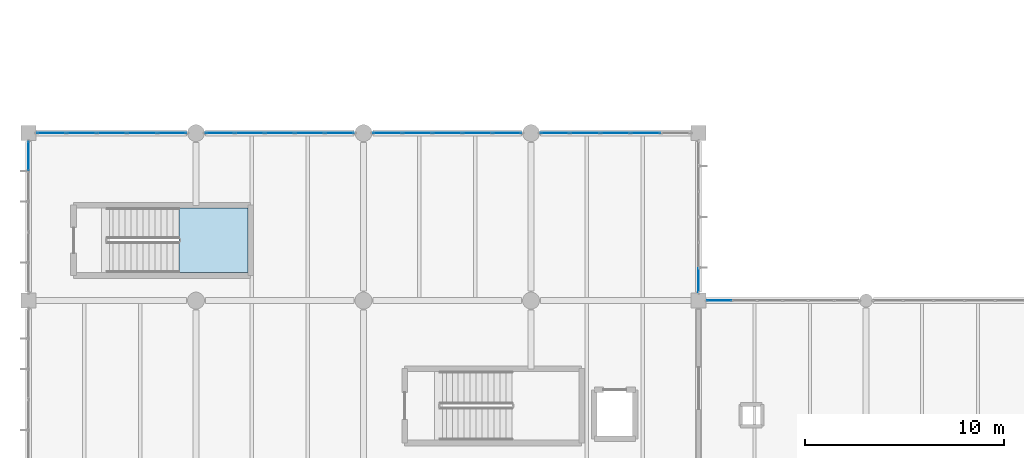
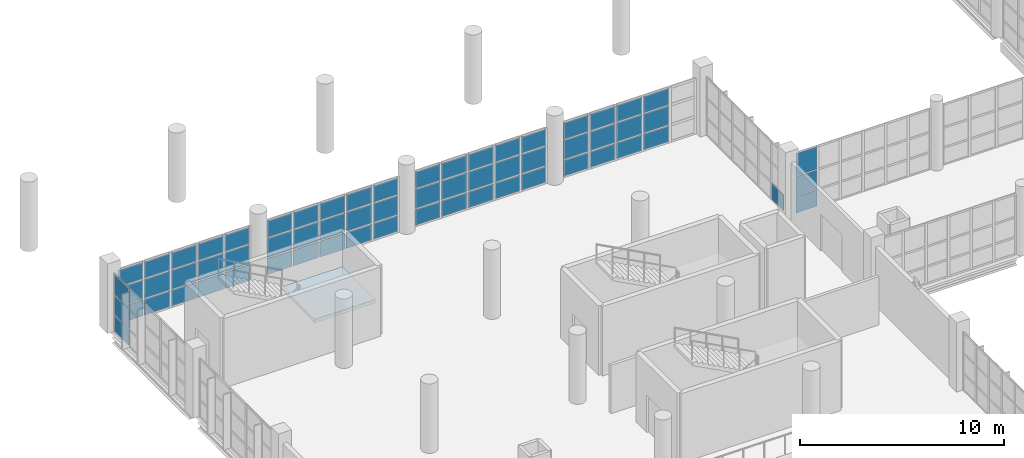
# One storey, part 130 of 177: 64 plates, 1 slab, 8 elements without a shape of their own.
"""IFC4 building model written with IfcOpenShell, lengths in metres."""

from ifc_helpers import new_model, si_unit, direction, frame, origin, origin_2d, place, context, subcontext, project, spatial, polyline, rectangle, outline, extrude, material, layer, layer_set, type_object, element, aggregate, save


model = new_model("IFC4")

# Units and contexts
model_context = context("Model", 3, precision=1e-05, world=origin(), true_north=direction((0.0, 1.0)))
body_context = subcontext(model_context, "Body", "Model", "MODEL_VIEW")
ifc_project = project(units=[si_unit("LENGTHUNIT", "METRE"), si_unit("AREAUNIT", "SQUARE_METRE"), si_unit("VOLUMEUNIT", "CUBIC_METRE"), si_unit("PLANEANGLEUNIT", "RADIAN"), si_unit("MASSUNIT", "GRAM", prefix="KILO"), si_unit("THERMODYNAMICTEMPERATUREUNIT", "KELVIN"), si_unit("POWERUNIT", "WATT")], contexts=[model_context])

# Site, building, storey
site_placement = place(None, origin())
site = spatial("IfcSite", under=ifc_project, at=site_placement, CompositionType="ELEMENT")
building_placement = place(site_placement, origin())
building = spatial("IfcBuilding", under=site, at=building_placement, Name="Mavoryth Pier Ferry Terminal", CompositionType="ELEMENT")
storey_placement = place(building_placement, frame((0.0, 0.0, 5.43994140625)))
storey = spatial("IfcBuildingStorey", under=building, at=storey_placement, Name="L01", CompositionType="ELEMENT", Elevation=5.43994140625)

# Curtain wall, plates
ifc_material_1 = material(Name="Anodised Aluminium and Solar-Control Low-E Glass", Category="aluminium")
ifc_layer_1 = layer(ifc_material_1, 0.179931640625, Name="Anodised Aluminium and Solar-Control Low-E Glass", Category="aluminium")
ifc_layer_set_1 = layer_set([ifc_layer_1], Name="Anodised Aluminium and Solar-Control Low-E Glass - CW-Concourse-Mod1400")
curtain_wall_type_1 = type_object("IfcCurtainWallType", Name="CW-Concourse-Mod1400", PredefinedType="USERDEFINED", material=ifc_layer_set_1)
curtain_wall_1_placement = place(storey_placement, origin())
curtain_wall_1 = element("IfcCurtainWall", 1, at=curtain_wall_1_placement, inside=storey, type_object=curtain_wall_type_1, Name="Curtain Wall CW-0122-032", ObjectType="UNITISED CURTAIN WALL", PredefinedType="USERDEFINED")
ifc_material_2 = material(Name="Solar-Control Low-E Laminated Double Glazing", Category="glass")
ifc_layer_2 = layer(ifc_material_2, 0.02392578125, Name="Solar-Control Low-E Laminated Double Glazing", Category="glass")
ifc_layer_set_2 = layer_set([ifc_layer_2], Name="Solar-Control Low-E Laminated Double Glazing - Panel-LowE-DGU-24")
plate_type_1 = type_object("IfcPlateType", Name="Panel-LowE-DGU-24", PredefinedType="CURTAIN_PANEL", material=ifc_layer_set_2)
plate_1_placement = place(storey_placement, frame((0.0, 104.844970703125, 0.06005859375), z_axis=(0.0, 0.0, 1.0), x_axis=(0.0, -1.0, 0.0)))
plate_1 = element("IfcPlate", 2, at=plate_1_placement, type_object=plate_type_1, Name="CW01 panel 1.1", PredefinedType="CURTAIN_PANEL", context=body_context, shape_type="SweptSolid", body=[
    extrude(rectangle(XDim=1.43994140625, YDim=0.02392578125, at=origin_2d()), origin(), (0.0, 0.0, 1.0), 0.9599609375),
])
plate_2_placement = place(storey_placement, frame((0.0, 104.844970703125, 1.080078125), z_axis=(0.0, 0.0, 1.0), x_axis=(0.0, -1.0, 0.0)))
plate_2 = element("IfcPlate", 3, at=plate_2_placement, type_object=plate_type_1, Name="CW01 panel 1.2", PredefinedType="CURTAIN_PANEL", context=body_context, shape_type="SweptSolid", body=[
    extrude(rectangle(XDim=1.43994140625, YDim=0.02392578125, at=origin_2d()), origin(), (0.0, 0.0, 1.0), 1.139892578125),
])
plate_3_placement = place(storey_placement, frame((0.0, 104.844970703125, 2.2802734375), z_axis=(0.0, 0.0, 1.0), x_axis=(0.0, -1.0, 0.0)))
plate_3 = element("IfcPlate", 4, at=plate_3_placement, type_object=plate_type_1, Name="CW01 panel 1.3", PredefinedType="CURTAIN_PANEL", context=body_context, shape_type="SweptSolid", body=[
    extrude(rectangle(XDim=1.43994140625, YDim=0.02392578125, at=origin_2d()), origin(), (0.0, 0.0, 1.0), 1.175048828125),
])
aggregate(curtain_wall_1, [plate_1, plate_2, plate_3])

# Curtain wall, plate
ifc_layer_3 = layer(ifc_material_1, 0.199951171875, Name="Anodised Aluminium and Solar-Control Low-E Glass", Category="aluminium")
ifc_layer_set_3 = layer_set([ifc_layer_3], Name="Anodised Aluminium and Solar-Control Low-E Glass - CW-Concourse-Mod1200")
curtain_wall_type_2 = type_object("IfcCurtainWallType", Name="CW-Concourse-Mod1200", PredefinedType="USERDEFINED", material=ifc_layer_set_3)
curtain_wall_2_placement = place(storey_placement, origin())
curtain_wall_2 = element("IfcCurtainWall", 5, at=curtain_wall_2_placement, inside=storey, type_object=curtain_wall_type_2, Name="Curtain Wall CW-0111-033", ObjectType="UNITISED CURTAIN WALL", PredefinedType="USERDEFINED")
plate_4_placement = place(storey_placement, frame((33.60009765625, 98.626220703125, 0.05517578125), z_axis=(0.0, 0.0, 1.0), x_axis=(0.0, 1.0, 0.0)))
plate_4 = element("IfcPlate", 6, at=plate_4_placement, type_object=plate_type_1, Name="CW02 panel 1.1", PredefinedType="CURTAIN_PANEL", context=body_context, shape_type="SweptSolid", body=[
    extrude(rectangle(XDim=1.1923828125, YDim=0.02392578125, at=origin_2d()), origin(), (0.0, 0.0, 1.0), 0.967529296875),
])
aggregate(curtain_wall_2, [plate_4])

# Curtain wall, plates
ifc_layer_4 = layer(ifc_material_1, 0.1201171875, Name="Anodised Aluminium and Solar-Control Low-E Glass", Category="aluminium")
ifc_layer_set_4 = layer_set([ifc_layer_4], Name="Anodised Aluminium and Solar-Control Low-E Glass - CW-BridgeLink-Mod1400")
curtain_wall_type_3 = type_object("IfcCurtainWallType", Name="CW-BridgeLink-Mod1400", PredefinedType="USERDEFINED", material=ifc_layer_set_4)
curtain_wall_3_placement = place(storey_placement, origin())
curtain_wall_3 = element("IfcCurtainWall", 7, at=curtain_wall_3_placement, inside=storey, type_object=curtain_wall_type_3, Name="Curtain Wall CW-0111-099", ObjectType="UNITISED CURTAIN WALL", PredefinedType="USERDEFINED")
plate_5_placement = place(storey_placement, frame((34.63037109375, 97.60009765625, 0.05517578125), z_axis=(0.0, 0.0, 1.0), x_axis=(1.0, 0.0, 0.0)))
plate_5 = element("IfcPlate", 8, at=plate_5_placement, type_object=plate_type_1, Name="CW08 panel 1.1", PredefinedType="CURTAIN_PANEL", context=body_context, shape_type="SweptSolid", body=[
    extrude(rectangle(XDim=1.200927734375, YDim=0.02392578125, at=origin_2d()), origin(), (0.0, 0.0, 1.0), 0.967529296875),
])
plate_6_placement = place(storey_placement, frame((34.63037109375, 97.60009765625, 1.07763671875), z_axis=(0.0, 0.0, 1.0), x_axis=(1.0, 0.0, 0.0)))
plate_6 = element("IfcPlate", 9, at=plate_6_placement, type_object=plate_type_1, Name="CW08 panel 1.2", PredefinedType="CURTAIN_PANEL", context=body_context, shape_type="SweptSolid", body=[
    extrude(rectangle(XDim=1.200927734375, YDim=0.02392578125, at=origin_2d()), origin(), (0.0, 0.0, 1.0), 1.14501953125),
])
plate_7_placement = place(storey_placement, frame((34.63037109375, 97.60009765625, 2.277587890625), z_axis=(0.0, 0.0, 1.0), x_axis=(1.0, 0.0, 0.0)))
plate_7 = element("IfcPlate", 10, at=plate_7_placement, type_object=plate_type_1, Name="CW08 panel 1.3", PredefinedType="CURTAIN_PANEL", context=body_context, shape_type="SweptSolid", body=[
    extrude(rectangle(XDim=1.200927734375, YDim=0.02392578125, at=origin_2d()), origin(), (0.0, 0.0, 1.0), 1.33251953125),
])
aggregate(curtain_wall_3, [plate_5, plate_6, plate_7])

ifc_layer_5 = layer(ifc_material_1, 0.219970703125, Name="Anodised Aluminium and Solar-Control Low-E Glass", Category="aluminium")
ifc_layer_set_5 = layer_set([ifc_layer_5], Name="Anodised Aluminium and Solar-Control Low-E Glass - CW-Seaward-Tall-Mod1400")
curtain_wall_type_4 = type_object("IfcCurtainWallType", Name="CW-Seaward-Tall-Mod1400", PredefinedType="USERDEFINED", material=ifc_layer_set_5)
curtain_wall_4_placement = place(storey_placement, origin())
curtain_wall_4 = element("IfcCurtainWall", 11, at=curtain_wall_4_placement, inside=storey, type_object=curtain_wall_type_4, Name="Curtain Wall CW-0144-036", ObjectType="UNITISED CURTAIN WALL", PredefinedType="USERDEFINED")
ifc_material_3 = material(Name="Acoustic Solar-Control Triple-Laminated Glazing", Category="glass")
ifc_layer_6 = layer(ifc_material_3, 0.033935546875, Name="Acoustic Solar-Control Triple-Laminated Glazing", Category="glass")
ifc_layer_set_6 = layer_set([ifc_layer_6], Name="Acoustic Solar-Control Triple-Laminated Glazing - Panel-LowE-DGU-34")
plate_type_2 = type_object("IfcPlateType", Name="Panel-LowE-DGU-34", PredefinedType="CURTAIN_PANEL", material=ifc_layer_set_6)
plate_8_placement = place(storey_placement, frame((7.197509765625, 106.0, 0.06982421875), z_axis=(0.0, 0.0, 1.0), x_axis=(-1.0, 0.0, 0.0)))
plate_8 = element("IfcPlate", 12, at=plate_8_placement, type_object=plate_type_2, Name="CW03 panel 1.1", PredefinedType="CURTAIN_PANEL", context=body_context, shape_type="SweptSolid", body=[
    extrude(rectangle(XDim=1.4150390625, YDim=0.033935546875, at=origin_2d()), origin(), (0.0, 0.0, 1.0), 0.945068359375),
])
plate_9_placement = place(storey_placement, frame((7.197509765625, 106.0, 1.085205078125), z_axis=(0.0, 0.0, 1.0), x_axis=(-1.0, 0.0, 0.0)))
plate_9 = element("IfcPlate", 13, at=plate_9_placement, type_object=plate_type_2, Name="CW03 panel 1.2", PredefinedType="CURTAIN_PANEL", context=body_context, shape_type="SweptSolid", body=[
    extrude(rectangle(XDim=1.4150390625, YDim=0.033935546875, at=origin_2d()), origin(), (0.0, 0.0, 1.0), 1.1298828125),
])
plate_10_placement = place(storey_placement, frame((7.197509765625, 106.0, 2.28515625), z_axis=(0.0, 0.0, 1.0), x_axis=(-1.0, 0.0, 0.0)))
plate_10 = element("IfcPlate", 14, at=plate_10_placement, type_object=plate_type_2, Name="CW03 panel 1.3", PredefinedType="CURTAIN_PANEL", context=body_context, shape_type="SweptSolid", body=[
    extrude(rectangle(XDim=1.4150390625, YDim=0.033935546875, at=origin_2d()), origin(), (0.0, 0.0, 1.0), 0.97998046875),
])
plate_11_placement = place(storey_placement, frame((5.695068359375, 106.0, 0.06982421875), z_axis=(0.0, 0.0, 1.0), x_axis=(-1.0, 0.0, 0.0)))
plate_11 = element("IfcPlate", 15, at=plate_11_placement, type_object=plate_type_2, Name="CW03 panel 2.1", PredefinedType="CURTAIN_PANEL", context=body_context, shape_type="SweptSolid", body=[
    extrude(rectangle(XDim=1.449951171875, YDim=0.033935546875, at=origin_2d()), origin(), (0.0, 0.0, 1.0), 0.945068359375),
])
plate_12_placement = place(storey_placement, frame((5.695068359375, 106.0, 1.085205078125), z_axis=(0.0, 0.0, 1.0), x_axis=(-1.0, 0.0, 0.0)))
plate_12 = element("IfcPlate", 16, at=plate_12_placement, type_object=plate_type_2, Name="CW03 panel 2.2", PredefinedType="CURTAIN_PANEL", context=body_context, shape_type="SweptSolid", body=[
    extrude(rectangle(XDim=1.449951171875, YDim=0.033935546875, at=origin_2d()), origin(), (0.0, 0.0, 1.0), 1.1298828125),
])
plate_13_placement = place(storey_placement, frame((5.695068359375, 106.0, 2.28515625), z_axis=(0.0, 0.0, 1.0), x_axis=(-1.0, 0.0, 0.0)))
plate_13 = element("IfcPlate", 17, at=plate_13_placement, type_object=plate_type_2, Name="CW03 panel 2.3", PredefinedType="CURTAIN_PANEL", context=body_context, shape_type="SweptSolid", body=[
    extrude(rectangle(XDim=1.449951171875, YDim=0.033935546875, at=origin_2d()), origin(), (0.0, 0.0, 1.0), 0.97998046875),
])
plate_14_placement = place(storey_placement, frame((4.175048828125, 106.0, 0.06982421875), z_axis=(0.0, 0.0, 1.0), x_axis=(-1.0, 0.0, 0.0)))
plate_14 = element("IfcPlate", 18, at=plate_14_placement, type_object=plate_type_2, Name="CW03 panel 3.1", PredefinedType="CURTAIN_PANEL", context=body_context, shape_type="SweptSolid", body=[
    extrude(rectangle(XDim=1.449951171875, YDim=0.033935546875, at=origin_2d()), origin(), (0.0, 0.0, 1.0), 0.945068359375),
])
plate_15_placement = place(storey_placement, frame((4.175048828125, 106.0, 1.085205078125), z_axis=(0.0, 0.0, 1.0), x_axis=(-1.0, 0.0, 0.0)))
plate_15 = element("IfcPlate", 19, at=plate_15_placement, type_object=plate_type_2, Name="CW03 panel 3.2", PredefinedType="CURTAIN_PANEL", context=body_context, shape_type="SweptSolid", body=[
    extrude(rectangle(XDim=1.449951171875, YDim=0.033935546875, at=origin_2d()), origin(), (0.0, 0.0, 1.0), 1.1298828125),
])
plate_16_placement = place(storey_placement, frame((4.175048828125, 106.0, 2.28515625), z_axis=(0.0, 0.0, 1.0), x_axis=(-1.0, 0.0, 0.0)))
plate_16 = element("IfcPlate", 20, at=plate_16_placement, type_object=plate_type_2, Name="CW03 panel 3.3", PredefinedType="CURTAIN_PANEL", context=body_context, shape_type="SweptSolid", body=[
    extrude(rectangle(XDim=1.449951171875, YDim=0.033935546875, at=origin_2d()), origin(), (0.0, 0.0, 1.0), 0.97998046875),
])
plate_17_placement = place(storey_placement, frame((2.655029296875, 106.0, 0.06982421875), z_axis=(0.0, 0.0, 1.0), x_axis=(-1.0, 0.0, 0.0)))
plate_17 = element("IfcPlate", 21, at=plate_17_placement, type_object=plate_type_2, Name="CW03 panel 4.1", PredefinedType="CURTAIN_PANEL", context=body_context, shape_type="SweptSolid", body=[
    extrude(rectangle(XDim=1.449951171875, YDim=0.033935546875, at=origin_2d()), origin(), (0.0, 0.0, 1.0), 0.945068359375),
])
plate_18_placement = place(storey_placement, frame((2.655029296875, 106.0, 1.085205078125), z_axis=(0.0, 0.0, 1.0), x_axis=(-1.0, 0.0, 0.0)))
plate_18 = element("IfcPlate", 22, at=plate_18_placement, type_object=plate_type_2, Name="CW03 panel 4.2", PredefinedType="CURTAIN_PANEL", context=body_context, shape_type="SweptSolid", body=[
    extrude(rectangle(XDim=1.449951171875, YDim=0.033935546875, at=origin_2d()), origin(), (0.0, 0.0, 1.0), 1.1298828125),
])
plate_19_placement = place(storey_placement, frame((2.655029296875, 106.0, 2.28515625), z_axis=(0.0, 0.0, 1.0), x_axis=(-1.0, 0.0, 0.0)))
plate_19 = element("IfcPlate", 23, at=plate_19_placement, type_object=plate_type_2, Name="CW03 panel 4.3", PredefinedType="CURTAIN_PANEL", context=body_context, shape_type="SweptSolid", body=[
    extrude(rectangle(XDim=1.449951171875, YDim=0.033935546875, at=origin_2d()), origin(), (0.0, 0.0, 1.0), 0.97998046875),
])
plate_20_placement = place(storey_placement, frame((1.152587890625, 106.0, 0.06982421875), z_axis=(0.0, 0.0, 1.0), x_axis=(-1.0, 0.0, 0.0)))
plate_20 = element("IfcPlate", 24, at=plate_20_placement, type_object=plate_type_2, Name="CW03 panel 5.1", PredefinedType="CURTAIN_PANEL", context=body_context, shape_type="SweptSolid", body=[
    extrude(rectangle(XDim=1.4150390625, YDim=0.033935546875, at=origin_2d()), origin(), (0.0, 0.0, 1.0), 0.945068359375),
])
plate_21_placement = place(storey_placement, frame((1.152587890625, 106.0, 1.085205078125), z_axis=(0.0, 0.0, 1.0), x_axis=(-1.0, 0.0, 0.0)))
plate_21 = element("IfcPlate", 25, at=plate_21_placement, type_object=plate_type_2, Name="CW03 panel 5.2", PredefinedType="CURTAIN_PANEL", context=body_context, shape_type="SweptSolid", body=[
    extrude(rectangle(XDim=1.4150390625, YDim=0.033935546875, at=origin_2d()), origin(), (0.0, 0.0, 1.0), 1.1298828125),
])
plate_22_placement = place(storey_placement, frame((1.152587890625, 106.0, 2.28515625), z_axis=(0.0, 0.0, 1.0), x_axis=(-1.0, 0.0, 0.0)))
plate_22 = element("IfcPlate", 26, at=plate_22_placement, type_object=plate_type_2, Name="CW03 panel 5.3", PredefinedType="CURTAIN_PANEL", context=body_context, shape_type="SweptSolid", body=[
    extrude(rectangle(XDim=1.4150390625, YDim=0.033935546875, at=origin_2d()), origin(), (0.0, 0.0, 1.0), 0.97998046875),
])
aggregate(curtain_wall_4, [plate_8, plate_9, plate_10, plate_11, plate_12, plate_13, plate_14, plate_15, plate_16, plate_17, plate_18, plate_19, plate_20, plate_21, plate_22])

curtain_wall_5_placement = place(storey_placement, origin())
curtain_wall_5 = element("IfcCurtainWall", 27, at=curtain_wall_5_placement, inside=storey, type_object=curtain_wall_type_4, Name="Curtain Wall CW-0144-040", ObjectType="UNITISED CURTAIN WALL", PredefinedType="USERDEFINED")
plate_23_placement = place(storey_placement, frame((15.6025390625, 106.0, 0.06982421875), z_axis=(0.0, 0.0, 1.0), x_axis=(-1.0, 0.0, 0.0)))
plate_23 = element("IfcPlate", 28, at=plate_23_placement, type_object=plate_type_2, Name="CW03 panel 1.1", PredefinedType="CURTAIN_PANEL", context=body_context, shape_type="SweptSolid", body=[
    extrude(rectangle(XDim=1.405029296875, YDim=0.033935546875, at=origin_2d()), origin(), (0.0, 0.0, 1.0), 0.945068359375),
])
plate_24_placement = place(storey_placement, frame((15.6025390625, 106.0, 1.085205078125), z_axis=(0.0, 0.0, 1.0), x_axis=(-1.0, 0.0, 0.0)))
plate_24 = element("IfcPlate", 29, at=plate_24_placement, type_object=plate_type_2, Name="CW03 panel 1.2", PredefinedType="CURTAIN_PANEL", context=body_context, shape_type="SweptSolid", body=[
    extrude(rectangle(XDim=1.405029296875, YDim=0.033935546875, at=origin_2d()), origin(), (0.0, 0.0, 1.0), 1.1298828125),
])
plate_25_placement = place(storey_placement, frame((15.6025390625, 106.0, 2.28515625), z_axis=(0.0, 0.0, 1.0), x_axis=(-1.0, 0.0, 0.0)))
plate_25 = element("IfcPlate", 30, at=plate_25_placement, type_object=plate_type_2, Name="CW03 panel 1.3", PredefinedType="CURTAIN_PANEL", context=body_context, shape_type="SweptSolid", body=[
    extrude(rectangle(XDim=1.405029296875, YDim=0.033935546875, at=origin_2d()), origin(), (0.0, 0.0, 1.0), 0.97998046875),
])
plate_26_placement = place(storey_placement, frame((14.110107421875, 106.0, 0.06982421875), z_axis=(0.0, 0.0, 1.0), x_axis=(-1.0, 0.0, 0.0)))
plate_26 = element("IfcPlate", 31, at=plate_26_placement, type_object=plate_type_2, Name="CW03 panel 2.1", PredefinedType="CURTAIN_PANEL", context=body_context, shape_type="SweptSolid", body=[
    extrude(rectangle(XDim=1.43994140625, YDim=0.033935546875, at=origin_2d()), origin(), (0.0, 0.0, 1.0), 0.945068359375),
])
plate_27_placement = place(storey_placement, frame((14.110107421875, 106.0, 1.085205078125), z_axis=(0.0, 0.0, 1.0), x_axis=(-1.0, 0.0, 0.0)))
plate_27 = element("IfcPlate", 32, at=plate_27_placement, type_object=plate_type_2, Name="CW03 panel 2.2", PredefinedType="CURTAIN_PANEL", context=body_context, shape_type="SweptSolid", body=[
    extrude(rectangle(XDim=1.43994140625, YDim=0.033935546875, at=origin_2d()), origin(), (0.0, 0.0, 1.0), 1.1298828125),
])
plate_28_placement = place(storey_placement, frame((14.110107421875, 106.0, 2.28515625), z_axis=(0.0, 0.0, 1.0), x_axis=(-1.0, 0.0, 0.0)))
plate_28 = element("IfcPlate", 33, at=plate_28_placement, type_object=plate_type_2, Name="CW03 panel 2.3", PredefinedType="CURTAIN_PANEL", context=body_context, shape_type="SweptSolid", body=[
    extrude(rectangle(XDim=1.43994140625, YDim=0.033935546875, at=origin_2d()), origin(), (0.0, 0.0, 1.0), 0.97998046875),
])
plate_29_placement = place(storey_placement, frame((12.60009765625, 106.0, 0.06982421875), z_axis=(0.0, 0.0, 1.0), x_axis=(-1.0, 0.0, 0.0)))
plate_29 = element("IfcPlate", 34, at=plate_29_placement, type_object=plate_type_2, Name="CW03 panel 3.1", PredefinedType="CURTAIN_PANEL", context=body_context, shape_type="SweptSolid", body=[
    extrude(rectangle(XDim=1.43994140625, YDim=0.033935546875, at=origin_2d()), origin(), (0.0, 0.0, 1.0), 0.945068359375),
])
plate_30_placement = place(storey_placement, frame((12.60009765625, 106.0, 1.085205078125), z_axis=(0.0, 0.0, 1.0), x_axis=(-1.0, 0.0, 0.0)))
plate_30 = element("IfcPlate", 35, at=plate_30_placement, type_object=plate_type_2, Name="CW03 panel 3.2", PredefinedType="CURTAIN_PANEL", context=body_context, shape_type="SweptSolid", body=[
    extrude(rectangle(XDim=1.43994140625, YDim=0.033935546875, at=origin_2d()), origin(), (0.0, 0.0, 1.0), 1.1298828125),
])
plate_31_placement = place(storey_placement, frame((12.60009765625, 106.0, 2.28515625), z_axis=(0.0, 0.0, 1.0), x_axis=(-1.0, 0.0, 0.0)))
plate_31 = element("IfcPlate", 36, at=plate_31_placement, type_object=plate_type_2, Name="CW03 panel 3.3", PredefinedType="CURTAIN_PANEL", context=body_context, shape_type="SweptSolid", body=[
    extrude(rectangle(XDim=1.43994140625, YDim=0.033935546875, at=origin_2d()), origin(), (0.0, 0.0, 1.0), 0.97998046875),
])
plate_32_placement = place(storey_placement, frame((11.090087890625, 106.0, 0.06982421875), z_axis=(0.0, 0.0, 1.0), x_axis=(-1.0, 0.0, 0.0)))
plate_32 = element("IfcPlate", 37, at=plate_32_placement, type_object=plate_type_2, Name="CW03 panel 4.1", PredefinedType="CURTAIN_PANEL", context=body_context, shape_type="SweptSolid", body=[
    extrude(rectangle(XDim=1.43994140625, YDim=0.033935546875, at=origin_2d()), origin(), (0.0, 0.0, 1.0), 0.945068359375),
])
plate_33_placement = place(storey_placement, frame((11.090087890625, 106.0, 1.085205078125), z_axis=(0.0, 0.0, 1.0), x_axis=(-1.0, 0.0, 0.0)))
plate_33 = element("IfcPlate", 38, at=plate_33_placement, type_object=plate_type_2, Name="CW03 panel 4.2", PredefinedType="CURTAIN_PANEL", context=body_context, shape_type="SweptSolid", body=[
    extrude(rectangle(XDim=1.43994140625, YDim=0.033935546875, at=origin_2d()), origin(), (0.0, 0.0, 1.0), 1.1298828125),
])
plate_34_placement = place(storey_placement, frame((11.090087890625, 106.0, 2.28515625), z_axis=(0.0, 0.0, 1.0), x_axis=(-1.0, 0.0, 0.0)))
plate_34 = element("IfcPlate", 39, at=plate_34_placement, type_object=plate_type_2, Name="CW03 panel 4.3", PredefinedType="CURTAIN_PANEL", context=body_context, shape_type="SweptSolid", body=[
    extrude(rectangle(XDim=1.43994140625, YDim=0.033935546875, at=origin_2d()), origin(), (0.0, 0.0, 1.0), 0.97998046875),
])
plate_35_placement = place(storey_placement, frame((9.597412109375, 106.0, 0.06982421875), z_axis=(0.0, 0.0, 1.0), x_axis=(-1.0, 0.0, 0.0)))
plate_35 = element("IfcPlate", 40, at=plate_35_placement, type_object=plate_type_2, Name="CW03 panel 5.1", PredefinedType="CURTAIN_PANEL", context=body_context, shape_type="SweptSolid", body=[
    extrude(rectangle(XDim=1.405029296875, YDim=0.033935546875, at=origin_2d()), origin(), (0.0, 0.0, 1.0), 0.945068359375),
])
plate_36_placement = place(storey_placement, frame((9.597412109375, 106.0, 1.085205078125), z_axis=(0.0, 0.0, 1.0), x_axis=(-1.0, 0.0, 0.0)))
plate_36 = element("IfcPlate", 41, at=plate_36_placement, type_object=plate_type_2, Name="CW03 panel 5.2", PredefinedType="CURTAIN_PANEL", context=body_context, shape_type="SweptSolid", body=[
    extrude(rectangle(XDim=1.405029296875, YDim=0.033935546875, at=origin_2d()), origin(), (0.0, 0.0, 1.0), 1.1298828125),
])
plate_37_placement = place(storey_placement, frame((9.597412109375, 106.0, 2.28515625), z_axis=(0.0, 0.0, 1.0), x_axis=(-1.0, 0.0, 0.0)))
plate_37 = element("IfcPlate", 42, at=plate_37_placement, type_object=plate_type_2, Name="CW03 panel 5.3", PredefinedType="CURTAIN_PANEL", context=body_context, shape_type="SweptSolid", body=[
    extrude(rectangle(XDim=1.405029296875, YDim=0.033935546875, at=origin_2d()), origin(), (0.0, 0.0, 1.0), 0.97998046875),
])
aggregate(curtain_wall_5, [plate_23, plate_24, plate_25, plate_26, plate_27, plate_28, plate_29, plate_30, plate_31, plate_32, plate_33, plate_34, plate_35, plate_36, plate_37])

curtain_wall_6_placement = place(storey_placement, origin())
curtain_wall_6 = element("IfcCurtainWall", 43, at=curtain_wall_6_placement, inside=storey, type_object=curtain_wall_type_4, Name="Curtain Wall CW-0144-043", ObjectType="UNITISED CURTAIN WALL", PredefinedType="USERDEFINED")
plate_38_placement = place(storey_placement, frame((24.00244140625, 106.0, 0.06982421875), z_axis=(0.0, 0.0, 1.0), x_axis=(-1.0, 0.0, 0.0)))
plate_38 = element("IfcPlate", 44, at=plate_38_placement, type_object=plate_type_2, Name="CW03 panel 1.1", PredefinedType="CURTAIN_PANEL", context=body_context, shape_type="SweptSolid", body=[
    extrude(rectangle(XDim=1.405029296875, YDim=0.033935546875, at=origin_2d()), origin(), (0.0, 0.0, 1.0), 0.945068359375),
])
plate_39_placement = place(storey_placement, frame((24.00244140625, 106.0, 1.085205078125), z_axis=(0.0, 0.0, 1.0), x_axis=(-1.0, 0.0, 0.0)))
plate_39 = element("IfcPlate", 45, at=plate_39_placement, type_object=plate_type_2, Name="CW03 panel 1.2", PredefinedType="CURTAIN_PANEL", context=body_context, shape_type="SweptSolid", body=[
    extrude(rectangle(XDim=1.405029296875, YDim=0.033935546875, at=origin_2d()), origin(), (0.0, 0.0, 1.0), 1.1298828125),
])
plate_40_placement = place(storey_placement, frame((24.00244140625, 106.0, 2.28515625), z_axis=(0.0, 0.0, 1.0), x_axis=(-1.0, 0.0, 0.0)))
plate_40 = element("IfcPlate", 46, at=plate_40_placement, type_object=plate_type_2, Name="CW03 panel 1.3", PredefinedType="CURTAIN_PANEL", context=body_context, shape_type="SweptSolid", body=[
    extrude(rectangle(XDim=1.405029296875, YDim=0.033935546875, at=origin_2d()), origin(), (0.0, 0.0, 1.0), 0.97998046875),
])
plate_41_placement = place(storey_placement, frame((22.510009765625, 106.0, 0.06982421875), z_axis=(0.0, 0.0, 1.0), x_axis=(-1.0, 0.0, 0.0)))
plate_41 = element("IfcPlate", 47, at=plate_41_placement, type_object=plate_type_2, Name="CW03 panel 2.1", PredefinedType="CURTAIN_PANEL", context=body_context, shape_type="SweptSolid", body=[
    extrude(rectangle(XDim=1.43994140625, YDim=0.033935546875, at=origin_2d()), origin(), (0.0, 0.0, 1.0), 0.945068359375),
])
plate_42_placement = place(storey_placement, frame((22.510009765625, 106.0, 1.085205078125), z_axis=(0.0, 0.0, 1.0), x_axis=(-1.0, 0.0, 0.0)))
plate_42 = element("IfcPlate", 48, at=plate_42_placement, type_object=plate_type_2, Name="CW03 panel 2.2", PredefinedType="CURTAIN_PANEL", context=body_context, shape_type="SweptSolid", body=[
    extrude(rectangle(XDim=1.43994140625, YDim=0.033935546875, at=origin_2d()), origin(), (0.0, 0.0, 1.0), 1.1298828125),
])
plate_43_placement = place(storey_placement, frame((22.510009765625, 106.0, 2.28515625), z_axis=(0.0, 0.0, 1.0), x_axis=(-1.0, 0.0, 0.0)))
plate_43 = element("IfcPlate", 49, at=plate_43_placement, type_object=plate_type_2, Name="CW03 panel 2.3", PredefinedType="CURTAIN_PANEL", context=body_context, shape_type="SweptSolid", body=[
    extrude(rectangle(XDim=1.43994140625, YDim=0.033935546875, at=origin_2d()), origin(), (0.0, 0.0, 1.0), 0.97998046875),
])
plate_44_placement = place(storey_placement, frame((21.0, 106.0, 0.06982421875), z_axis=(0.0, 0.0, 1.0), x_axis=(-1.0, 0.0, 0.0)))
plate_44 = element("IfcPlate", 50, at=plate_44_placement, type_object=plate_type_2, Name="CW03 panel 3.1", PredefinedType="CURTAIN_PANEL", context=body_context, shape_type="SweptSolid", body=[
    extrude(rectangle(XDim=1.43994140625, YDim=0.033935546875, at=origin_2d()), origin(), (0.0, 0.0, 1.0), 0.945068359375),
])
plate_45_placement = place(storey_placement, frame((21.0, 106.0, 1.085205078125), z_axis=(0.0, 0.0, 1.0), x_axis=(-1.0, 0.0, 0.0)))
plate_45 = element("IfcPlate", 51, at=plate_45_placement, type_object=plate_type_2, Name="CW03 panel 3.2", PredefinedType="CURTAIN_PANEL", context=body_context, shape_type="SweptSolid", body=[
    extrude(rectangle(XDim=1.43994140625, YDim=0.033935546875, at=origin_2d()), origin(), (0.0, 0.0, 1.0), 1.1298828125),
])
plate_46_placement = place(storey_placement, frame((21.0, 106.0, 2.28515625), z_axis=(0.0, 0.0, 1.0), x_axis=(-1.0, 0.0, 0.0)))
plate_46 = element("IfcPlate", 52, at=plate_46_placement, type_object=plate_type_2, Name="CW03 panel 3.3", PredefinedType="CURTAIN_PANEL", context=body_context, shape_type="SweptSolid", body=[
    extrude(rectangle(XDim=1.43994140625, YDim=0.033935546875, at=origin_2d()), origin(), (0.0, 0.0, 1.0), 0.97998046875),
])
plate_47_placement = place(storey_placement, frame((19.489990234375, 106.0, 0.06982421875), z_axis=(0.0, 0.0, 1.0), x_axis=(-1.0, 0.0, 0.0)))
plate_47 = element("IfcPlate", 53, at=plate_47_placement, type_object=plate_type_2, Name="CW03 panel 4.1", PredefinedType="CURTAIN_PANEL", context=body_context, shape_type="SweptSolid", body=[
    extrude(rectangle(XDim=1.43994140625, YDim=0.033935546875, at=origin_2d()), origin(), (0.0, 0.0, 1.0), 0.945068359375),
])
plate_48_placement = place(storey_placement, frame((19.489990234375, 106.0, 1.085205078125), z_axis=(0.0, 0.0, 1.0), x_axis=(-1.0, 0.0, 0.0)))
plate_48 = element("IfcPlate", 54, at=plate_48_placement, type_object=plate_type_2, Name="CW03 panel 4.2", PredefinedType="CURTAIN_PANEL", context=body_context, shape_type="SweptSolid", body=[
    extrude(rectangle(XDim=1.43994140625, YDim=0.033935546875, at=origin_2d()), origin(), (0.0, 0.0, 1.0), 1.1298828125),
])
plate_49_placement = place(storey_placement, frame((19.489990234375, 106.0, 2.28515625), z_axis=(0.0, 0.0, 1.0), x_axis=(-1.0, 0.0, 0.0)))
plate_49 = element("IfcPlate", 55, at=plate_49_placement, type_object=plate_type_2, Name="CW03 panel 4.3", PredefinedType="CURTAIN_PANEL", context=body_context, shape_type="SweptSolid", body=[
    extrude(rectangle(XDim=1.43994140625, YDim=0.033935546875, at=origin_2d()), origin(), (0.0, 0.0, 1.0), 0.97998046875),
])
plate_50_placement = place(storey_placement, frame((17.99755859375, 106.0, 0.06982421875), z_axis=(0.0, 0.0, 1.0), x_axis=(-1.0, 0.0, 0.0)))
plate_50 = element("IfcPlate", 56, at=plate_50_placement, type_object=plate_type_2, Name="CW03 panel 5.1", PredefinedType="CURTAIN_PANEL", context=body_context, shape_type="SweptSolid", body=[
    extrude(rectangle(XDim=1.405029296875, YDim=0.033935546875, at=origin_2d()), origin(), (0.0, 0.0, 1.0), 0.945068359375),
])
plate_51_placement = place(storey_placement, frame((17.99755859375, 106.0, 1.085205078125), z_axis=(0.0, 0.0, 1.0), x_axis=(-1.0, 0.0, 0.0)))
plate_51 = element("IfcPlate", 57, at=plate_51_placement, type_object=plate_type_2, Name="CW03 panel 5.2", PredefinedType="CURTAIN_PANEL", context=body_context, shape_type="SweptSolid", body=[
    extrude(rectangle(XDim=1.405029296875, YDim=0.033935546875, at=origin_2d()), origin(), (0.0, 0.0, 1.0), 1.1298828125),
])
plate_52_placement = place(storey_placement, frame((17.99755859375, 106.0, 2.28515625), z_axis=(0.0, 0.0, 1.0), x_axis=(-1.0, 0.0, 0.0)))
plate_52 = element("IfcPlate", 58, at=plate_52_placement, type_object=plate_type_2, Name="CW03 panel 5.3", PredefinedType="CURTAIN_PANEL", context=body_context, shape_type="SweptSolid", body=[
    extrude(rectangle(XDim=1.405029296875, YDim=0.033935546875, at=origin_2d()), origin(), (0.0, 0.0, 1.0), 0.97998046875),
])
aggregate(curtain_wall_6, [plate_38, plate_39, plate_40, plate_41, plate_42, plate_43, plate_44, plate_45, plate_46, plate_47, plate_48, plate_49, plate_50, plate_51, plate_52])

curtain_wall_7_placement = place(storey_placement, origin())
curtain_wall_7 = element("IfcCurtainWall", 59, at=curtain_wall_7_placement, inside=storey, type_object=curtain_wall_type_4, Name="Curtain Wall CW-0144-046", ObjectType="UNITISED CURTAIN WALL", PredefinedType="USERDEFINED")
plate_53_placement = place(storey_placement, frame((30.945068359375, 106.0, 0.06982421875), z_axis=(0.0, 0.0, 1.0), x_axis=(-1.0, 0.0, 0.0)))
plate_53 = element("IfcPlate", 60, at=plate_53_placement, type_object=plate_type_2, Name="CW03 panel 2.1", PredefinedType="CURTAIN_PANEL", context=body_context, shape_type="SweptSolid", body=[
    extrude(rectangle(XDim=1.449951171875, YDim=0.033935546875, at=origin_2d()), origin(), (0.0, 0.0, 1.0), 0.945068359375),
])
plate_54_placement = place(storey_placement, frame((30.945068359375, 106.0, 1.085205078125), z_axis=(0.0, 0.0, 1.0), x_axis=(-1.0, 0.0, 0.0)))
plate_54 = element("IfcPlate", 61, at=plate_54_placement, type_object=plate_type_2, Name="CW03 panel 2.2", PredefinedType="CURTAIN_PANEL", context=body_context, shape_type="SweptSolid", body=[
    extrude(rectangle(XDim=1.449951171875, YDim=0.033935546875, at=origin_2d()), origin(), (0.0, 0.0, 1.0), 1.1298828125),
])
plate_55_placement = place(storey_placement, frame((30.945068359375, 106.0, 2.28515625), z_axis=(0.0, 0.0, 1.0), x_axis=(-1.0, 0.0, 0.0)))
plate_55 = element("IfcPlate", 62, at=plate_55_placement, type_object=plate_type_2, Name="CW03 panel 2.3", PredefinedType="CURTAIN_PANEL", context=body_context, shape_type="SweptSolid", body=[
    extrude(rectangle(XDim=1.449951171875, YDim=0.033935546875, at=origin_2d()), origin(), (0.0, 0.0, 1.0), 0.97998046875),
])
plate_56_placement = place(storey_placement, frame((29.425048828125, 106.0, 0.06982421875), z_axis=(0.0, 0.0, 1.0), x_axis=(-1.0, 0.0, 0.0)))
plate_56 = element("IfcPlate", 63, at=plate_56_placement, type_object=plate_type_2, Name="CW03 panel 3.1", PredefinedType="CURTAIN_PANEL", context=body_context, shape_type="SweptSolid", body=[
    extrude(rectangle(XDim=1.449951171875, YDim=0.033935546875, at=origin_2d()), origin(), (0.0, 0.0, 1.0), 0.945068359375),
])
plate_57_placement = place(storey_placement, frame((29.425048828125, 106.0, 1.085205078125), z_axis=(0.0, 0.0, 1.0), x_axis=(-1.0, 0.0, 0.0)))
plate_57 = element("IfcPlate", 64, at=plate_57_placement, type_object=plate_type_2, Name="CW03 panel 3.2", PredefinedType="CURTAIN_PANEL", context=body_context, shape_type="SweptSolid", body=[
    extrude(rectangle(XDim=1.449951171875, YDim=0.033935546875, at=origin_2d()), origin(), (0.0, 0.0, 1.0), 1.1298828125),
])
plate_58_placement = place(storey_placement, frame((29.425048828125, 106.0, 2.28515625), z_axis=(0.0, 0.0, 1.0), x_axis=(-1.0, 0.0, 0.0)))
plate_58 = element("IfcPlate", 65, at=plate_58_placement, type_object=plate_type_2, Name="CW03 panel 3.3", PredefinedType="CURTAIN_PANEL", context=body_context, shape_type="SweptSolid", body=[
    extrude(rectangle(XDim=1.449951171875, YDim=0.033935546875, at=origin_2d()), origin(), (0.0, 0.0, 1.0), 0.97998046875),
])
plate_59_placement = place(storey_placement, frame((27.905029296875, 106.0, 0.06982421875), z_axis=(0.0, 0.0, 1.0), x_axis=(-1.0, 0.0, 0.0)))
plate_59 = element("IfcPlate", 66, at=plate_59_placement, type_object=plate_type_2, Name="CW03 panel 4.1", PredefinedType="CURTAIN_PANEL", context=body_context, shape_type="SweptSolid", body=[
    extrude(rectangle(XDim=1.449951171875, YDim=0.033935546875, at=origin_2d()), origin(), (0.0, 0.0, 1.0), 0.945068359375),
])
plate_60_placement = place(storey_placement, frame((27.905029296875, 106.0, 1.085205078125), z_axis=(0.0, 0.0, 1.0), x_axis=(-1.0, 0.0, 0.0)))
plate_60 = element("IfcPlate", 67, at=plate_60_placement, type_object=plate_type_2, Name="CW03 panel 4.2", PredefinedType="CURTAIN_PANEL", context=body_context, shape_type="SweptSolid", body=[
    extrude(rectangle(XDim=1.449951171875, YDim=0.033935546875, at=origin_2d()), origin(), (0.0, 0.0, 1.0), 1.1298828125),
])
plate_61_placement = place(storey_placement, frame((27.905029296875, 106.0, 2.28515625), z_axis=(0.0, 0.0, 1.0), x_axis=(-1.0, 0.0, 0.0)))
plate_61 = element("IfcPlate", 68, at=plate_61_placement, type_object=plate_type_2, Name="CW03 panel 4.3", PredefinedType="CURTAIN_PANEL", context=body_context, shape_type="SweptSolid", body=[
    extrude(rectangle(XDim=1.449951171875, YDim=0.033935546875, at=origin_2d()), origin(), (0.0, 0.0, 1.0), 0.97998046875),
])
plate_62_placement = place(storey_placement, frame((26.402587890625, 106.0, 0.06982421875), z_axis=(0.0, 0.0, 1.0), x_axis=(-1.0, 0.0, 0.0)))
plate_62 = element("IfcPlate", 69, at=plate_62_placement, type_object=plate_type_2, Name="CW03 panel 5.1", PredefinedType="CURTAIN_PANEL", context=body_context, shape_type="SweptSolid", body=[
    extrude(rectangle(XDim=1.4150390625, YDim=0.033935546875, at=origin_2d()), origin(), (0.0, 0.0, 1.0), 0.945068359375),
])
plate_63_placement = place(storey_placement, frame((26.402587890625, 106.0, 1.085205078125), z_axis=(0.0, 0.0, 1.0), x_axis=(-1.0, 0.0, 0.0)))
plate_63 = element("IfcPlate", 70, at=plate_63_placement, type_object=plate_type_2, Name="CW03 panel 5.2", PredefinedType="CURTAIN_PANEL", context=body_context, shape_type="SweptSolid", body=[
    extrude(rectangle(XDim=1.4150390625, YDim=0.033935546875, at=origin_2d()), origin(), (0.0, 0.0, 1.0), 1.1298828125),
])
plate_64_placement = place(storey_placement, frame((26.402587890625, 106.0, 2.28515625), z_axis=(0.0, 0.0, 1.0), x_axis=(-1.0, 0.0, 0.0)))
plate_64 = element("IfcPlate", 71, at=plate_64_placement, type_object=plate_type_2, Name="CW03 panel 5.3", PredefinedType="CURTAIN_PANEL", context=body_context, shape_type="SweptSolid", body=[
    extrude(rectangle(XDim=1.4150390625, YDim=0.033935546875, at=origin_2d()), origin(), (0.0, 0.0, 1.0), 0.97998046875),
])
aggregate(curtain_wall_7, [plate_53, plate_54, plate_55, plate_56, plate_57, plate_58, plate_59, plate_60, plate_61, plate_62, plate_63, plate_64])

# Stair, slab
ifc_material_4 = material(Name="Concrete C35/45", Category="concrete")
stair_type = type_object("IfcStairType", Name="Stair-Core-W1550", PredefinedType="TWO_STRAIGHT_RUN_STAIR", material=ifc_material_4)
stair_placement = place(storey_placement, origin())
stair = element("IfcStair", 72, at=stair_placement, inside=storey, type_object=stair_type, Name="L01 Core C1C Stair", PredefinedType="TWO_STRAIGHT_RUN_STAIR")
ifc_layer_7 = layer(ifc_material_4, 0.199951171875, Name="Concrete C35/45", Category="concrete")
ifc_layer_set_7 = layer_set([ifc_layer_7], Name="Concrete C35/45 - Slab-Landing-RC-200")
slab_type = type_object("IfcSlabType", Name="Slab-Landing-RC-200", PredefinedType="LANDING", material=ifc_layer_set_7)
slab_placement = place(storey_placement, frame((0.0, 0.0, 1.880126953125)))
slab = element("IfcSlab", 73, at=slab_placement, type_object=slab_type, Name="ST03 landing 1", PredefinedType="LANDING", context=body_context, shape_type="SweptSolid", body=[
    extrude(outline(polyline([(7.550048828125, 99.0), (11.0, 99.0), (11.0, 102.25), (7.550048828125, 102.25), (7.550048828125, 99.0)])), origin(), (0.0, 0.0, 1.0), 0.199951171875),
])
aggregate(stair, [slab])

save(model, "model.ifc")
